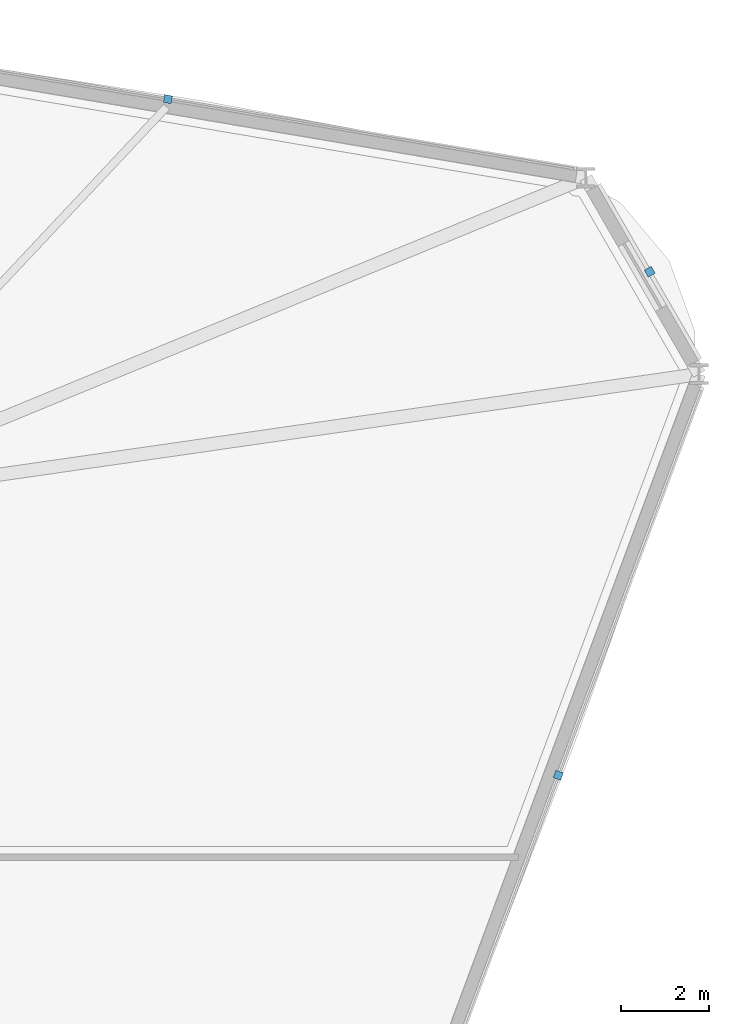
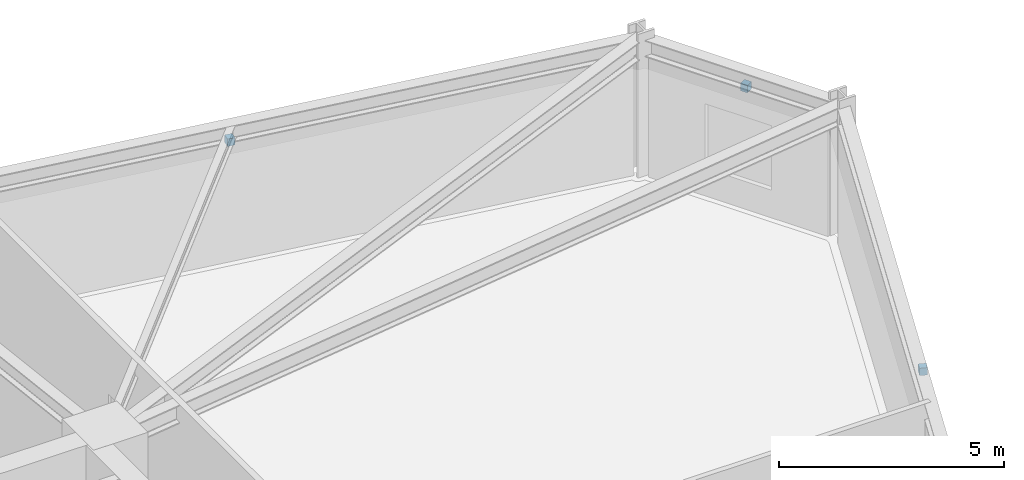
# One storey, part 18 of 21: 3 discrete accessories.
"""IFC4 building model written with IfcOpenShell, lengths in metres."""

from ifc_helpers import new_model, si_unit, derived_unit, direction, frame, origin, origin_2d, place, context, subcontext, project, spatial, rectangle, extrude, source, transform, mapped, material, type_object, element, save


model = new_model("IFC4")

# Units and contexts
model_context = context("Model", 3, precision=1e-05, world=origin(), true_north=direction((0.0, 1.0)))
body_context = subcontext(model_context, "Body", "Model", "MODEL_VIEW")
ifc_project = project(units=[si_unit("LENGTHUNIT", "METRE"), si_unit("AREAUNIT", "SQUARE_METRE"), si_unit("VOLUMEUNIT", "CUBIC_METRE"), si_unit("PLANEANGLEUNIT", "RADIAN"), si_unit("MASSUNIT", "GRAM", prefix="KILO"), derived_unit("THERMALTRANSMITTANCEUNIT", [(si_unit("POWERUNIT", "WATT"), 1), (si_unit("LENGTHUNIT", "METRE"), -2), (si_unit("THERMODYNAMICTEMPERATUREUNIT", "KELVIN"), -1)])], contexts=[model_context])

# Site, building, storey
site_placement = place(None, origin())
site = spatial("IfcSite", under=ifc_project, at=site_placement, CompositionType="ELEMENT")
building_placement = place(site_placement, origin())
building = spatial("IfcBuilding", under=site, at=building_placement, Name="Korsvarv Bourse and Concert Hall", CompositionType="ELEMENT")
storey_placement = place(building_placement, frame((0.0, 0.0, 27.89990234375)))
storey = spatial("IfcBuildingStorey", under=building, at=storey_placement, Name="L06", CompositionType="ELEMENT", Elevation=27.89990234375)

# Discrete accessories
ifc_material = material(Name="Stainless Steel S355 facade outrigger bracket", Category="steel")
discrete_accessory_type = type_object("IfcDiscreteAccessoryType", Name="ACC-BRK-1", PredefinedType="BRACKET", material=ifc_material)
shared_shape = source(origin(), body_context, "Body", "SweptSolid", [
    extrude(rectangle(XDim=0.179931640625, YDim=0.179931640625, at=origin_2d()), origin(), (0.0, 0.0, 1.0), 0.199951171875),
])
for number, where, z_axis, x_axis, name in (
    (1, (64.662109375, 52.548095703125, 2.97021484375), (0.0, 0.0, 1.0), (-0.5, 0.866025403784, 0.0), "L06 terracotta sunshade bracket EW-L06-B01"),
    (2, (53.68212890625, 56.480712890625, 2.97021484375), (0.0, 0.0, 1.0), (-0.98602512869, 0.166596655404, 0.0), "L06 terracotta sunshade bracket EW-L06-B02"),
    (3, (62.57763671875, 41.072998046875, 2.97021484375), (0.0, 0.0, 1.0), (0.348735628579, 0.937221137918, 0.0), "L06 terracotta sunshade bracket EW-L06-B12"),
):
    element("IfcDiscreteAccessory", number, at=place(storey_placement, frame(where, z_axis=z_axis, x_axis=x_axis)), inside=storey, type_object=discrete_accessory_type, Name=name, PredefinedType="BRACKET", context=body_context, shape_type="MappedRepresentation", body=[
        mapped(shared_shape, transform((0.0, 0.0, 0.0), scale=1.0)),
    ])

save(model, "model.ifc")
